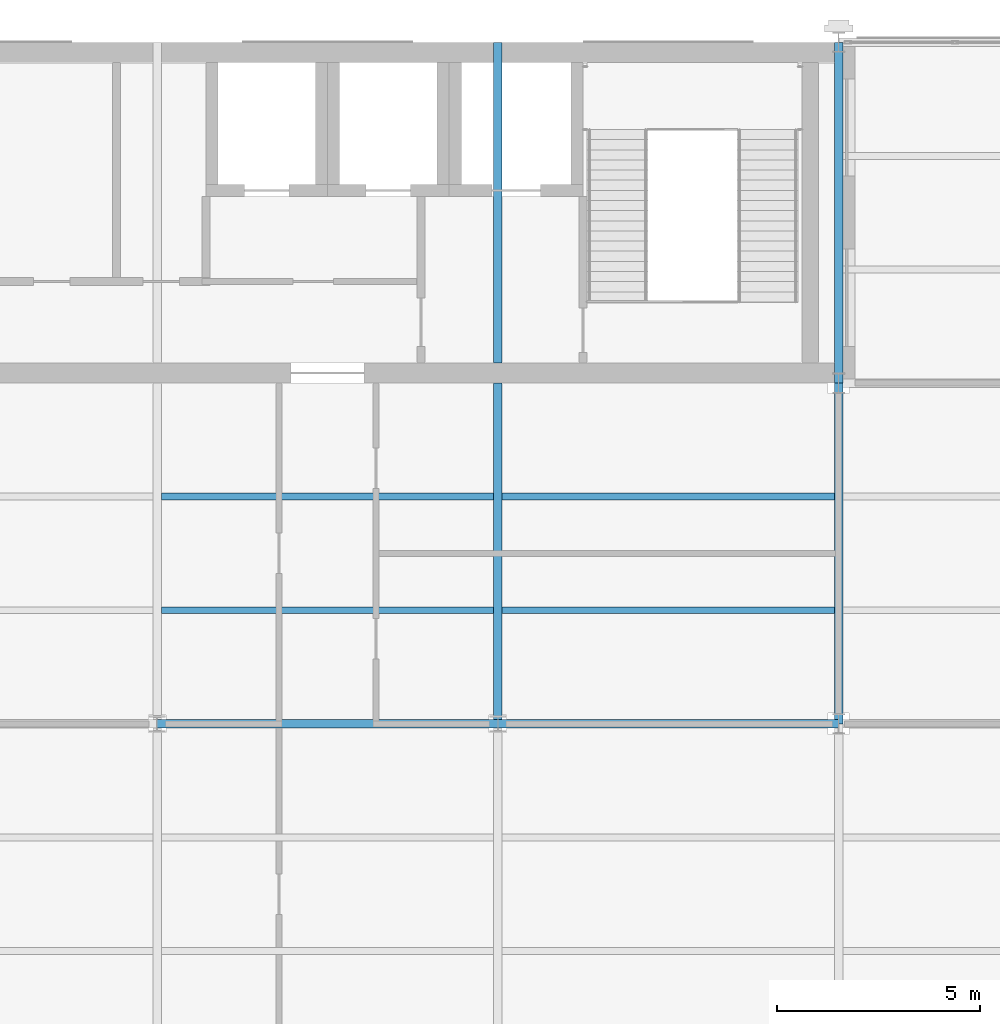
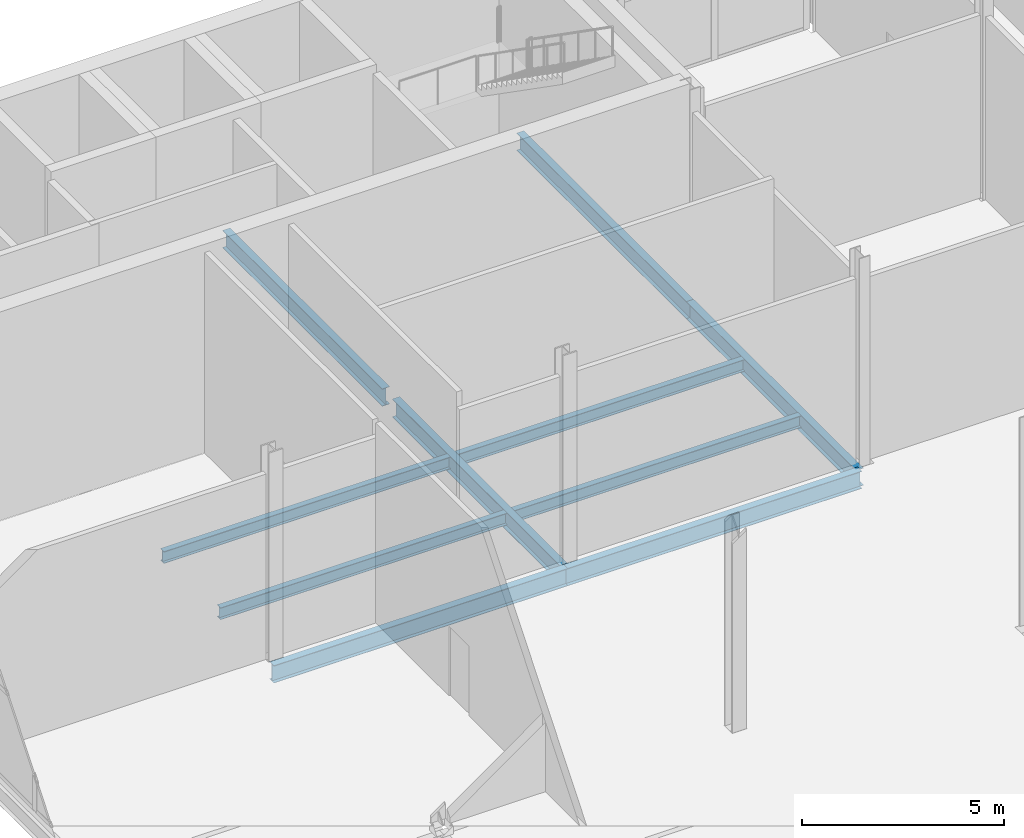
# One storey, part 38 of 77: 10 beams.
"""IFC4 building model written with IfcOpenShell, lengths in metres."""

from ifc_helpers import new_model, si_unit, direction, frame, origin, origin_2d, place, context, subcontext, project, spatial, i_section, extrude, material, material_profile, profile_set, type_object, element, save


model = new_model("IFC4")

# Units and contexts
model_context = context("Model", 3, precision=1e-05, world=origin(), true_north=direction((0.0, 1.0)))
body_context = subcontext(model_context, "Body", "Model", "MODEL_VIEW")
ifc_project = project(units=[si_unit("LENGTHUNIT", "METRE"), si_unit("AREAUNIT", "SQUARE_METRE"), si_unit("VOLUMEUNIT", "CUBIC_METRE"), si_unit("PLANEANGLEUNIT", "RADIAN"), si_unit("MASSUNIT", "GRAM", prefix="KILO")], contexts=[model_context])

# Site, building, storey
site_placement = place(None, origin())
site = spatial("IfcSite", under=ifc_project, at=site_placement, CompositionType="ELEMENT")
building_placement = place(site_placement, origin())
building = spatial("IfcBuilding", under=site, at=building_placement, Name="Catenary Quay Ferry Terminal", CompositionType="ELEMENT")
storey_placement = place(building_placement, frame((0.0, 0.0, 10.800048828125)))
storey = spatial("IfcBuildingStorey", under=building, at=storey_placement, Name="L02", CompositionType="ELEMENT", Elevation=10.800048828125)

# Beams
ifc_material_1 = material(Name="Steel S355", Category="steel")
ifc_material_profile_1 = material_profile(ifc_material_1, i_section(OverallWidth=0.208740234375, OverallDepth=0.5283203125, WebThickness=0.009521484375, FlangeThickness=0.01318359375, at=origin_2d()), Name="UB 533x210x82")
ifc_profile_set_1 = profile_set([ifc_material_profile_1], Name="Steel S355")
beam_type_1 = type_object("IfcBeamType", Name="B5 UB 533x210x82", PredefinedType="BEAM", material=ifc_profile_set_1)
for number, where, z_axis, x_axis, name in (
    (1, (33.60009765625, 193.199951171875, -0.51416015625), (1.0, 0.0, 0.0), (0.0, 1.0, 0.0), "Beam B5-016"),
    (2, (42.0, 193.199951171875, -0.51416015625), (1.0, 0.0, 0.0), (0.0, 1.0, 0.0), "Beam B5-017"),
):
    element("IfcBeam", number, at=place(storey_placement, frame(where, z_axis=z_axis, x_axis=x_axis)), inside=storey, type_object=beam_type_1, Name=name, PredefinedType="BEAM", context=body_context, shape_type="SweptSolid", body=[
        extrude(i_section(OverallWidth=0.208740234375, OverallDepth=0.5283203125, WebThickness=0.009521484375, FlangeThickness=0.01318359375, at=origin_2d()), origin(), (0.0, 0.0, 1.0), 8.39990234375),
    ])
beam_1_placement = place(storey_placement, frame((42.0, 202.10009765625, -0.51416015625), z_axis=(0.0, 1.0, 0.0), x_axis=(-1.0, 0.0, 0.0)))
element("IfcBeam", 3, at=beam_1_placement, inside=storey, type_object=beam_type_1, Name="Beam B5-031", PredefinedType="BEAM", context=body_context, shape_type="SweptSolid", body=[
    extrude(i_section(OverallWidth=0.208740234375, OverallDepth=0.5283203125, WebThickness=0.009521484375, FlangeThickness=0.01318359375, at=origin_2d()), origin(), (0.0, 0.0, 1.0), 7.89990234375),
])
beam_2_placement = place(storey_placement, frame((50.39990234375, 193.199951171875, -0.51416015625), z_axis=(0.0, 1.0, 0.0), x_axis=(-1.0, 0.0, 0.0)))
element("IfcBeam", 4, at=beam_2_placement, inside=storey, type_object=beam_type_1, Name="Beam B5-036", PredefinedType="BEAM", context=body_context, shape_type="SweptSolid", body=[
    extrude(i_section(OverallWidth=0.208740234375, OverallDepth=0.5283203125, WebThickness=0.009521484375, FlangeThickness=0.01318359375, at=origin_2d()), origin(), (0.0, 0.0, 1.0), 8.400146484375),
])
beam_3_placement = place(storey_placement, frame((50.39990234375, 201.60009765625, -0.51416015625), z_axis=(0.0, 1.0, 0.0), x_axis=(-1.0, 0.0, 0.0)))
element("IfcBeam", 5, at=beam_3_placement, inside=storey, type_object=beam_type_1, Name="Beam B5-037", PredefinedType="BEAM", context=body_context, shape_type="SweptSolid", body=[
    extrude(i_section(OverallWidth=0.208740234375, OverallDepth=0.5283203125, WebThickness=0.009521484375, FlangeThickness=0.01318359375, at=origin_2d()), origin(), (0.0, 0.0, 1.0), 8.39990234375),
])
ifc_material_2 = material(Name="Steel S355", Category="steel")
ifc_material_profile_2 = material_profile(ifc_material_2, i_section(OverallWidth=0.2099609375, OverallDepth=0.550048828125, WebThickness=0.010986328125, FlangeThickness=0.01708984375, at=origin_2d()), Name="IPE 550")
ifc_profile_set_2 = profile_set([ifc_material_profile_2], Name="Steel S355")
beam_type_2 = type_object("IfcBeamType", Name="B6 IPE 550", PredefinedType="BEAM", material=ifc_profile_set_2)
beam_4_placement = place(storey_placement, frame((42.0, 193.199951171875, -0.525146484375), z_axis=(0.0, 1.0, 0.0), x_axis=(-1.0, 0.0, 0.0)))
element("IfcBeam", 6, at=beam_4_placement, inside=storey, type_object=beam_type_2, Name="Beam B6-008", PredefinedType="BEAM", context=body_context, shape_type="SweptSolid", body=[
    extrude(i_section(OverallWidth=0.2099609375, OverallDepth=0.550048828125, WebThickness=0.010986328125, FlangeThickness=0.01708984375, at=origin_2d()), origin(), (0.0, 0.0, 1.0), 8.400146484375),
])
ifc_material_3 = material(Name="Steel S355", Category="steel")
ifc_material_profile_3 = material_profile(ifc_material_3, i_section(OverallWidth=0.169921875, OverallDepth=0.360107421875, WebThickness=0.008056640625, FlangeThickness=0.0126953125, at=origin_2d()), Name="IPE 360")
ifc_profile_set_3 = profile_set([ifc_material_profile_3], Name="Steel S355")
beam_type_3 = type_object("IfcBeamType", Name="B7 IPE 360", PredefinedType="BEAM", material=ifc_profile_set_3)
beam_5_placement = place(storey_placement, frame((33.705078125, 196.0, -0.429931640625), z_axis=(1.0, 0.0, 0.0), x_axis=(0.0, 1.0, 0.0)))
element("IfcBeam", 7, at=beam_5_placement, inside=storey, type_object=beam_type_3, Name="Beam B7-036", PredefinedType="BEAM", context=body_context, shape_type="SweptSolid", body=[
    extrude(i_section(OverallWidth=0.169921875, OverallDepth=0.360107421875, WebThickness=0.008056640625, FlangeThickness=0.0126953125, at=origin_2d()), origin(), (0.0, 0.0, 1.0), 8.18994140625),
])
beam_6_placement = place(storey_placement, frame((42.10498046875, 196.0, -0.429931640625), z_axis=(1.0, 0.0, 0.0), x_axis=(0.0, 1.0, 0.0)))
element("IfcBeam", 8, at=beam_6_placement, inside=storey, type_object=beam_type_3, Name="Beam B7-037", PredefinedType="BEAM", context=body_context, shape_type="SweptSolid", body=[
    extrude(i_section(OverallWidth=0.169921875, OverallDepth=0.360107421875, WebThickness=0.008056640625, FlangeThickness=0.0126953125, at=origin_2d()), origin(), (0.0, 0.0, 1.0), 8.19091796875),
])
beam_7_placement = place(storey_placement, frame((33.705078125, 198.800048828125, -0.429931640625), z_axis=(1.0, 0.0, 0.0), x_axis=(0.0, 1.0, 0.0)))
element("IfcBeam", 9, at=beam_7_placement, inside=storey, type_object=beam_type_3, Name="Beam B7-041", PredefinedType="BEAM", context=body_context, shape_type="SweptSolid", body=[
    extrude(i_section(OverallWidth=0.169921875, OverallDepth=0.360107421875, WebThickness=0.008056640625, FlangeThickness=0.0126953125, at=origin_2d()), origin(), (0.0, 0.0, 1.0), 8.18994140625),
])
beam_8_placement = place(storey_placement, frame((42.10498046875, 198.800048828125, -0.429931640625), z_axis=(1.0, 0.0, 0.0), x_axis=(0.0, 1.0, 0.0)))
element("IfcBeam", 10, at=beam_8_placement, inside=storey, type_object=beam_type_3, Name="Beam B7-042", PredefinedType="BEAM", context=body_context, shape_type="SweptSolid", body=[
    extrude(i_section(OverallWidth=0.169921875, OverallDepth=0.360107421875, WebThickness=0.008056640625, FlangeThickness=0.0126953125, at=origin_2d()), origin(), (0.0, 0.0, 1.0), 8.19091796875),
])

save(model, "model.ifc")
